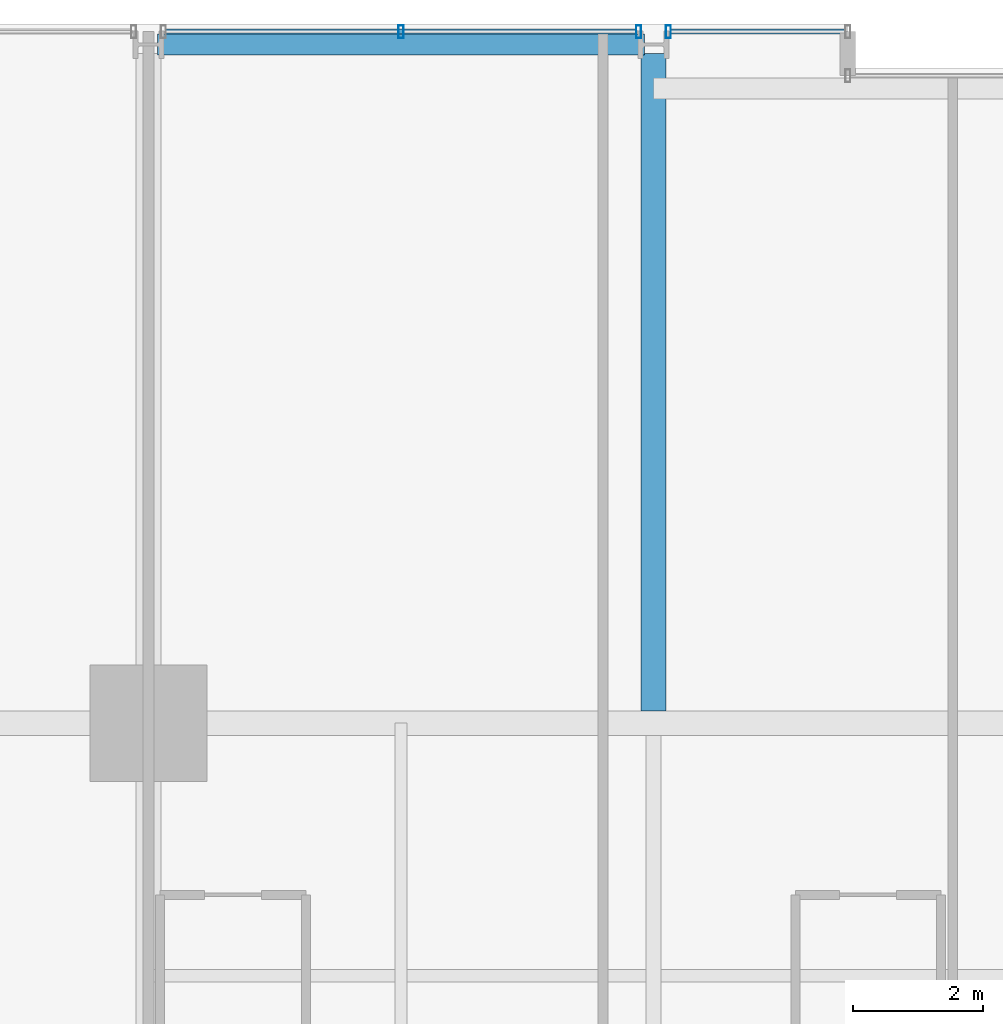
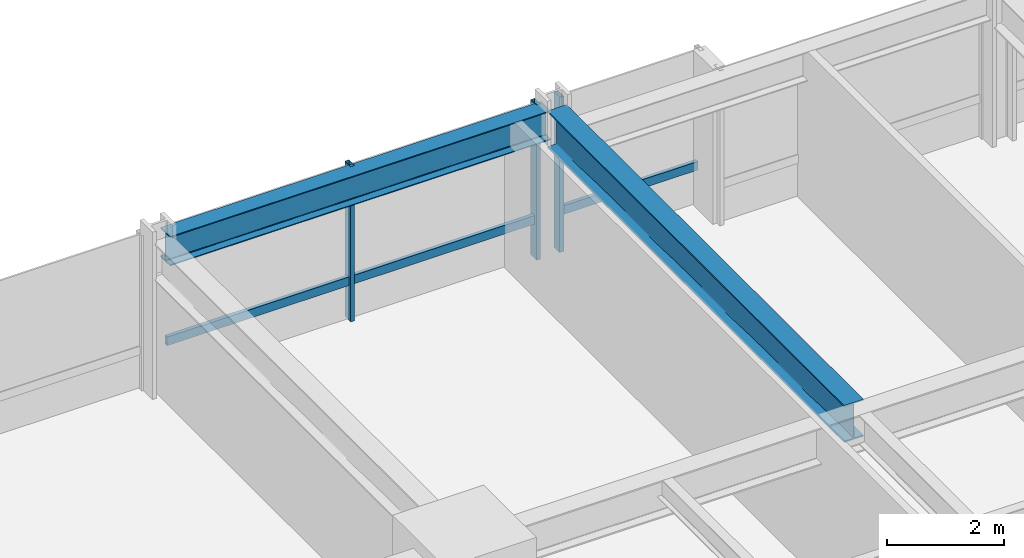
# One storey, part 22 of 38: 5 members, 2 beams, 2 elements without a shape of their own.
"""IFC4 building model written with IfcOpenShell, lengths in metres."""

from ifc_helpers import new_model, si_unit, direction, frame, origin, origin_2d, place, context, subcontext, project, spatial, hollow_rectangle, i_section, extrude, material, layer, layer_set, material_profile, profile_set, type_object, element, aggregate, save


model = new_model("IFC4")

# Units and contexts
model_context = context("Model", 3, precision=1e-05, world=origin(), true_north=direction((0.0, 1.0)))
body_context = subcontext(model_context, "Body", "Model", "MODEL_VIEW")
ifc_project = project(units=[si_unit("LENGTHUNIT", "METRE"), si_unit("AREAUNIT", "SQUARE_METRE"), si_unit("VOLUMEUNIT", "CUBIC_METRE"), si_unit("PLANEANGLEUNIT", "RADIAN"), si_unit("MASSUNIT", "GRAM", prefix="KILO")], contexts=[model_context])

# Site, building, storey
site_placement = place(None, origin())
site = spatial("IfcSite", under=ifc_project, at=site_placement, CompositionType="ELEMENT")
building_placement = place(site_placement, origin())
building = spatial("IfcBuilding", under=site, at=building_placement, Name="Drelvath Grand Hotel", CompositionType="ELEMENT")
storey_placement = place(building_placement, frame((0.0, 0.0, 61.199951171875)))
storey = spatial("IfcBuildingStorey", under=building, at=storey_placement, Name="L14", CompositionType="ELEMENT", Elevation=61.199951171875)

# Curtain wall, member
ifc_material_1 = material(Name="Warm Bronze Anodised Aluminium Frame", Category="aluminium")
ifc_layer = layer(ifc_material_1, 0.199951171875)
ifc_layer_set = layer_set([ifc_layer], Name="Warm Bronze Anodised Aluminium Frame")
curtain_wall_type = type_object("IfcCurtainWallType", Name="Stick Curtain Wall CW-02 Warm Bronze Low-Rise", PredefinedType="NOTDEFINED", material=ifc_layer_set)
curtain_wall_1_placement = place(storey_placement, origin())
curtain_wall_1 = element("IfcCurtainWall", 1, at=curtain_wall_1_placement, inside=storey, type_object=curtain_wall_type, Name="L14 CW-02 Curtain Wall CW02-L14-NW2", PredefinedType="NOTDEFINED")
ifc_material_profile_1 = material_profile(ifc_material_1, hollow_rectangle(XDim=0.074951171875, YDim=0.179931640625, WallThickness=0.0048828125, at=origin_2d()), Name="HSS180X75X5")
ifc_profile_set_1 = profile_set([ifc_material_profile_1], Name="Warm Bronze Anodised Aluminium Frame")
member_type_1 = type_object("IfcMemberType", Name="Curtain Wall Horizontal Transom CW-02 HSS180X75X5", PredefinedType="USERDEFINED", material=ifc_profile_set_1)
member_1_placement = place(storey_placement, frame((-15.930908203125, 53.8798828125, 0.81005859375), z_axis=(1.0, 0.0, 0.0), x_axis=(0.0, 1.0, 0.0)))
member_1 = element("IfcMember", 2, at=member_1_placement, type_object=member_type_1, Name="CW02-L14-NW2 Sill Transom", ObjectType="TRANSOM", PredefinedType="USERDEFINED", context=body_context, shape_type="SweptSolid", body=[
    extrude(hollow_rectangle(XDim=0.074951171875, YDim=0.179931640625, WallThickness=0.0048828125, at=origin_2d()), origin(), (0.0, 0.0, 1.0), 7.26171875),
])

curtain_wall_2_placement = place(storey_placement, origin())
curtain_wall_2 = element("IfcCurtainWall", 3, at=curtain_wall_2_placement, inside=storey, type_object=curtain_wall_type, Name="L14 CW-02 Curtain Wall CW02-L14-NW3", PredefinedType="NOTDEFINED")
member_2_placement = place(storey_placement, frame((-8.130859375, 53.8798828125, 0.81005859375), z_axis=(1.0, 0.0, 0.0), x_axis=(0.0, 1.0, 0.0)))
member_2 = element("IfcMember", 4, at=member_2_placement, type_object=member_type_1, Name="CW02-L14-NW3 Sill Transom", ObjectType="TRANSOM", PredefinedType="USERDEFINED", context=body_context, shape_type="SweptSolid", body=[
    extrude(hollow_rectangle(XDim=0.074951171875, YDim=0.179931640625, WallThickness=0.0048828125, at=origin_2d()), origin(), (0.0, 0.0, 1.0), 2.69091796875),
])

# Member
ifc_material_profile_2 = material_profile(ifc_material_1, hollow_rectangle(XDim=0.080078125, YDim=0.199951171875, WallThickness=0.0048828125, at=origin_2d()), Name="HSS200X80X5")
ifc_profile_set_2 = profile_set([ifc_material_profile_2], Name="Warm Bronze Anodised Aluminium Frame")
member_type_2 = type_object("IfcMemberType", Name="Curtain Wall Vertical Mullion CW-02 HSS200X80X5", PredefinedType="MULLION", material=ifc_profile_set_2)
member_3_placement = place(storey_placement, frame((-12.300048828125, 53.8798828125, 0.0), z_axis=(0.0, 0.0, 1.0), x_axis=(1.0, 0.0, 0.0)))
member_3 = element("IfcMember", 5, at=member_3_placement, type_object=member_type_2, Name="CW02-L14-NW2 Mullion 2", PredefinedType="MULLION", context=body_context, shape_type="SweptSolid", body=[
    extrude(hollow_rectangle(XDim=0.080078125, YDim=0.199951171875, WallThickness=0.0048828125, at=origin_2d()), origin(), (0.0, 0.0, 1.0), 3.239990234375),
])

member_4_placement = place(storey_placement, frame((-8.629150390625, 53.8798828125, 0.0), z_axis=(0.0, 0.0, 1.0), x_axis=(1.0, 0.0, 0.0)))
member_4 = element("IfcMember", 6, at=member_4_placement, type_object=member_type_2, Name="CW02-L14-NW2 Mullion 3", PredefinedType="MULLION", context=body_context, shape_type="SweptSolid", body=[
    extrude(hollow_rectangle(XDim=0.080078125, YDim=0.199951171875, WallThickness=0.0048828125, at=origin_2d()), origin(), (0.0, 0.0, 1.0), 3.239990234375),
])

aggregate(curtain_wall_1, [member_3, member_4, member_1])

member_5_placement = place(storey_placement, frame((-8.1708984375, 53.8798828125, 0.0), z_axis=(0.0, 0.0, 1.0), x_axis=(1.0, 0.0, 0.0)))
member_5 = element("IfcMember", 7, at=member_5_placement, type_object=member_type_2, Name="CW02-L14-NW3 Mullion 1", PredefinedType="MULLION", context=body_context, shape_type="SweptSolid", body=[
    extrude(hollow_rectangle(XDim=0.080078125, YDim=0.199951171875, WallThickness=0.0048828125, at=origin_2d()), origin(), (0.0, 0.0, 1.0), 3.239990234375),
])

aggregate(curtain_wall_2, [member_5, member_2])

# Beams
ifc_material_2 = material(Name="Steel ASTM A992 Gr 50", Category="steel")
ifc_material_profile_3 = material_profile(ifc_material_2, i_section(OverallWidth=0.323974609375, OverallDepth=0.611083984375, WebThickness=0.0126953125, FlangeThickness=0.01904296875, FilletRadius=0.02197265625, at=origin_2d()), Name="W24X104")
ifc_profile_set_3 = profile_set([ifc_material_profile_3], Name="Steel ASTM A992 Gr 50")
beam_type_1 = type_object("IfcBeamType", Name="Perimeter Spandrel Beam W24X104", PredefinedType="SPANDREL", material=ifc_profile_set_3)
beam_1_placement = place(storey_placement, frame((-16.06005859375, 53.679931640625, 2.9345703125), z_axis=(1.0, 0.0, 0.0), x_axis=(0.0, 1.0, 0.0)))
element("IfcBeam", 8, at=beam_1_placement, inside=storey, type_object=beam_type_1, Name="L14 Spandrel North W", PredefinedType="SPANDREL", context=body_context, shape_type="SweptSolid", body=[
    extrude(i_section(OverallWidth=0.323974609375, OverallDepth=0.611083984375, WebThickness=0.0126953125, FlangeThickness=0.01904296875, FilletRadius=0.02197265625, at=origin_2d()), origin(), (0.0, 0.0, 1.0), 7.52001953125),
])
ifc_material_profile_4 = material_profile(ifc_material_2, i_section(OverallWidth=0.380615234375, OverallDepth=0.773193359375, WebThickness=0.0166015625, FlangeThickness=0.027099609375, FilletRadius=0.02490234375, at=origin_2d()), Name="W30X173")
ifc_profile_set_4 = profile_set([ifc_material_profile_4], Name="Steel ASTM A992 Gr 50")
beam_type_2 = type_object("IfcBeamType", Name="Primary Floor Girder W30X173", PredefinedType="BEAM", material=ifc_profile_set_4)
beam_2_placement = place(storey_placement, frame((-8.39990234375, 43.390380859375, 2.853515625), z_axis=(0.0, 1.0, 0.0), x_axis=(-1.0, 0.0, 0.0)))
element("IfcBeam", 9, at=beam_2_placement, inside=storey, type_object=beam_type_2, Name="L14 North Wing Girder 4", PredefinedType="BEAM", context=body_context, shape_type="SweptSolid", body=[
    extrude(i_section(OverallWidth=0.380615234375, OverallDepth=0.773193359375, WebThickness=0.0166015625, FlangeThickness=0.027099609375, FilletRadius=0.02490234375, at=origin_2d()), origin(), (0.0, 0.0, 1.0), 10.149658203125),
])

save(model, "model.ifc")
